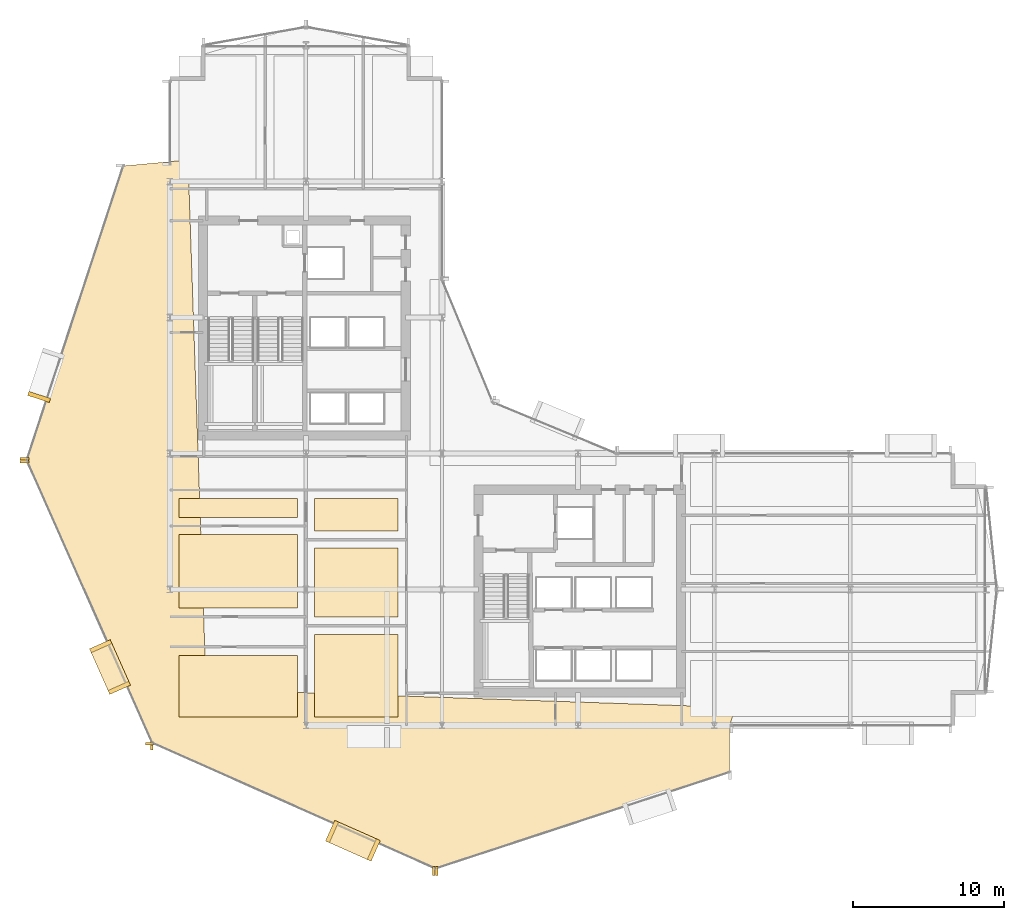
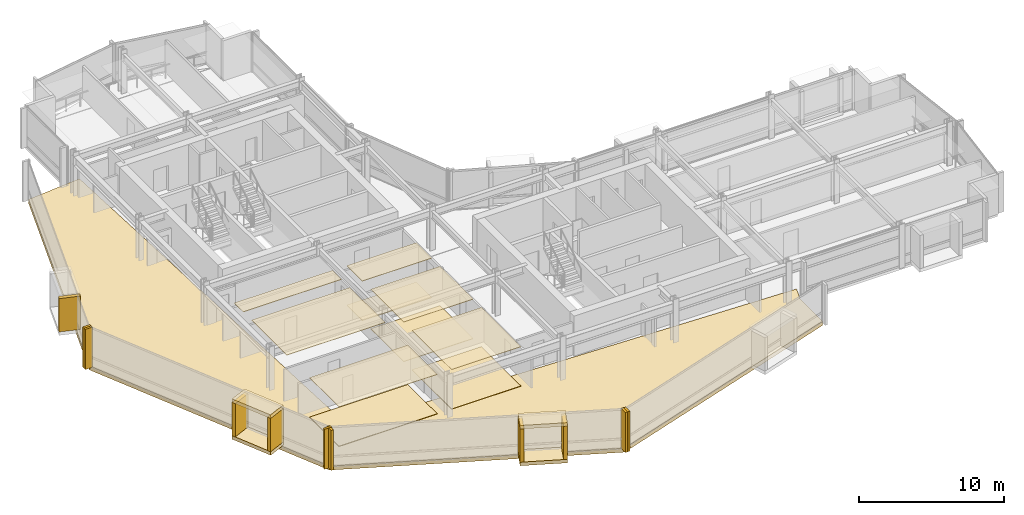
# One storey, part 31 of 35: 26 coverings.
"""IFC4 building model written with IfcOpenShell, lengths in metres."""

from ifc_helpers import new_model, si_unit, direction, frame, origin, origin_2d, place, context, subcontext, project, spatial, polyline, rectangle, outline, extrude, material, layer, layer_set, type_object, element, save


model = new_model("IFC4")

# Units and contexts
model_context = context("Model", 3, precision=1e-05, world=origin(), true_north=direction((0.0, 1.0)))
body_context = subcontext(model_context, "Body", "Model", "MODEL_VIEW")
ifc_project = project(units=[si_unit("LENGTHUNIT", "METRE"), si_unit("AREAUNIT", "SQUARE_METRE"), si_unit("VOLUMEUNIT", "CUBIC_METRE"), si_unit("PLANEANGLEUNIT", "RADIAN"), si_unit("MASSUNIT", "GRAM", prefix="KILO")], contexts=[model_context])

# Site, building, storey
site_placement = place(None, origin())
site = spatial("IfcSite", under=ifc_project, at=site_placement, CompositionType="ELEMENT")
building_placement = place(site_placement, origin())
building = spatial("IfcBuilding", under=site, at=building_placement, Name="Solvaryn Broadcast Tower", CompositionType="ELEMENT")
storey_placement = place(building_placement, frame((0.0, 0.0, 80.39990234375)))
storey = spatial("IfcBuildingStorey", under=building, at=storey_placement, Name="L19", CompositionType="ELEMENT", Elevation=80.39990234375)

# Coverings
ifc_material_1 = material(Name="Micro-Perforated Acoustic Gypsum Ceiling", Category="concrete")
ifc_layer_1 = layer(ifc_material_1, 0.0400390625)
ifc_layer_set_1 = layer_set([ifc_layer_1], Name="CV-CEIL-ACOUSTIC")
covering_type_1 = type_object("IfcCoveringType", Name="CV-CEIL-ACOUSTIC", PredefinedType="CEILING", material=ifc_layer_set_1)
covering_1_placement = place(storey_placement, frame((0.0, 0.0, 3.330078125)))
element("IfcCovering", 1, at=covering_1_placement, inside=storey, type_object=covering_type_1, Name="L19 Room Acoustic Ceiling 1", PredefinedType="CEILING", context=body_context, shape_type="SweptSolid", body=[
    extrude(outline(polyline([(18.570068359375, 9.570068359375), (24.10009765625, 9.570068359375), (24.10009765625, 15.030029296875), (18.570068359375, 15.030029296875), (18.570068359375, 9.570068359375)])), origin(), (0.0, 0.0, 1.0), 0.0400390625),
])
covering_2_placement = place(storey_placement, frame((0.0, 0.0, 3.330078125)))
element("IfcCovering", 2, at=covering_2_placement, inside=storey, type_object=covering_type_1, Name="L19 Room Acoustic Ceiling 2", PredefinedType="CEILING", context=body_context, shape_type="SweptSolid", body=[
    extrude(outline(polyline([(18.570068359375, 16.169921875), (24.10009765625, 16.169921875), (24.10009765625, 20.72998046875), (18.570068359375, 20.72998046875), (18.570068359375, 16.169921875)])), origin(), (0.0, 0.0, 1.0), 0.0400390625),
])
covering_3_placement = place(storey_placement, frame((0.0, 0.0, 3.330078125)))
element("IfcCovering", 3, at=covering_3_placement, inside=storey, type_object=covering_type_1, Name="L19 Room Acoustic Ceiling 3", PredefinedType="CEILING", context=body_context, shape_type="SweptSolid", body=[
    extrude(outline(polyline([(18.570068359375, 21.8701171875), (24.10009765625, 21.8701171875), (24.10009765625, 24.010009765625), (18.570068359375, 24.010009765625), (18.570068359375, 21.8701171875)])), origin(), (0.0, 0.0, 1.0), 0.0400390625),
])
covering_4_placement = place(storey_placement, frame((0.0, 0.0, 3.330078125)))
element("IfcCovering", 4, at=covering_4_placement, inside=storey, type_object=covering_type_1, Name="L19 Room Acoustic Ceiling 4", PredefinedType="CEILING", context=body_context, shape_type="SweptSolid", body=[
    extrude(outline(polyline([(9.60009765625, 9.570068359375), (17.429931640625, 9.570068359375), (17.429931640625, 13.6298828125), (9.60009765625, 13.6298828125), (9.60009765625, 9.570068359375)])), origin(), (0.0, 0.0, 1.0), 0.0400390625),
])
covering_5_placement = place(storey_placement, frame((0.0, 0.0, 3.330078125)))
element("IfcCovering", 5, at=covering_5_placement, inside=storey, type_object=covering_type_1, Name="L19 Room Acoustic Ceiling 5", PredefinedType="CEILING", context=body_context, shape_type="SweptSolid", body=[
    extrude(outline(polyline([(9.60009765625, 16.77001953125), (17.429931640625, 16.77001953125), (17.429931640625, 21.6298828125), (9.60009765625, 21.6298828125), (9.60009765625, 16.77001953125)])), origin(), (0.0, 0.0, 1.0), 0.0400390625),
])
covering_6_placement = place(storey_placement, frame((0.0, 0.0, 3.330078125)))
element("IfcCovering", 6, at=covering_6_placement, inside=storey, type_object=covering_type_1, Name="L19 Room Acoustic Ceiling 6", PredefinedType="CEILING", context=body_context, shape_type="SweptSolid", body=[
    extrude(outline(polyline([(9.60009765625, 22.77001953125), (17.429931640625, 22.77001953125), (17.429931640625, 24.010009765625), (9.60009765625, 24.010009765625), (9.60009765625, 22.77001953125)])), origin(), (0.0, 0.0, 1.0), 0.0400390625),
])
ifc_material_2 = material(Name="Newsroom Raised Data Access Flooring", Category="steel")
ifc_layer_2 = layer(ifc_material_2, 0.050048828125)
ifc_layer_set_2 = layer_set([ifc_layer_2], Name="CV-FLOOR-RAISED")
covering_type_2 = type_object("IfcCoveringType", Name="CV-FLOOR-RAISED", PredefinedType="FLOORING", material=ifc_layer_set_2)
covering_7_placement = place(storey_placement, origin())
element("IfcCovering", 7, at=covering_7_placement, inside=storey, type_object=covering_type_2, Name="L19 Room Acoustic Floor Finish 1", PredefinedType="FLOORING", context=body_context, shape_type="SweptSolid", body=[
    extrude(outline(polyline([(18.570068359375, 9.570068359375), (24.10009765625, 9.570068359375), (24.10009765625, 15.030029296875), (18.570068359375, 15.030029296875), (18.570068359375, 9.570068359375)])), origin(), (0.0, 0.0, 1.0), 0.050048828125),
])
covering_8_placement = place(storey_placement, origin())
element("IfcCovering", 8, at=covering_8_placement, inside=storey, type_object=covering_type_2, Name="L19 Room Acoustic Floor Finish 2", PredefinedType="FLOORING", context=body_context, shape_type="SweptSolid", body=[
    extrude(outline(polyline([(18.570068359375, 16.169921875), (24.10009765625, 16.169921875), (24.10009765625, 20.72998046875), (18.570068359375, 20.72998046875), (18.570068359375, 16.169921875)])), origin(), (0.0, 0.0, 1.0), 0.050048828125),
])
covering_9_placement = place(storey_placement, origin())
element("IfcCovering", 9, at=covering_9_placement, inside=storey, type_object=covering_type_2, Name="L19 Room Acoustic Floor Finish 3", PredefinedType="FLOORING", context=body_context, shape_type="SweptSolid", body=[
    extrude(outline(polyline([(18.570068359375, 21.8701171875), (24.10009765625, 21.8701171875), (24.10009765625, 24.010009765625), (18.570068359375, 24.010009765625), (18.570068359375, 21.8701171875)])), origin(), (0.0, 0.0, 1.0), 0.050048828125),
])
covering_10_placement = place(storey_placement, origin())
element("IfcCovering", 10, at=covering_10_placement, inside=storey, type_object=covering_type_2, Name="L19 Room Acoustic Floor Finish 4", PredefinedType="FLOORING", context=body_context, shape_type="SweptSolid", body=[
    extrude(outline(polyline([(9.60009765625, 9.570068359375), (17.429931640625, 9.570068359375), (17.429931640625, 13.6298828125), (9.60009765625, 13.6298828125), (9.60009765625, 9.570068359375)])), origin(), (0.0, 0.0, 1.0), 0.050048828125),
])
ifc_material_3 = material(Name="Glazed Architectural Terracotta Rainscreen Cladding", Category="masonry")
ifc_layer_3 = layer(ifc_material_3, 0.280029296875)
ifc_layer_set_3 = layer_set([ifc_layer_3], Name="CV-TC-CLAD")
covering_type_3 = type_object("IfcCoveringType", Name="CV-TC-CLAD", PredefinedType="CLADDING", material=ifc_layer_set_3)
covering_11_placement = place(storey_placement, frame((0.348388671875, 30.73828125, 0.280029296875), z_axis=(0.0, 0.0, 1.0), x_axis=(-0.311671636848, -0.950189870912, 0.0)))
element("IfcCovering", 11, at=covering_11_placement, inside=storey, type_object=covering_type_3, Name="L19 Projecting Stone Window Box Cheek 1-2", PredefinedType="CLADDING", context=body_context, shape_type="SweptSolid", body=[
    extrude(rectangle(XDim=0.280029296875, YDim=1.5, at=origin_2d()), origin(), (0.0, 0.0, 1.0), 2.81005859375),
])
for number, where, z_axis, x_axis, name in (
    (12, (5.035888671875, 12.8720703125, 3.080078125), (0.0, 0.0, 1.0), (0.405939269498, -0.913900054426, 0.0), "L19 Projecting Stone Window Box Hood 2"),
    (13, (5.035888671875, 12.8720703125, -0.009765625), (0.0, 0.0, 1.0), (0.405939269498, -0.913900054426, 0.0), "L19 Projecting Stone Window Box Sill 2"),
):
    element("IfcCovering", number, at=place(storey_placement, frame(where, z_axis=z_axis, x_axis=x_axis)), inside=storey, type_object=covering_type_3, Name=name, PredefinedType="CLADDING", context=body_context, shape_type="SweptSolid", body=[
        extrude(rectangle(XDim=3.300048828125, YDim=1.5, at=origin_2d()), origin(), (0.0, 0.0, 1.0), 0.300048828125),
    ])
for number, where, z_axis, x_axis, name in (
    (14, (4.423095703125, 14.251953125, 0.280029296875), (0.0, 0.0, 1.0), (0.405939269498, -0.913900054426, 0.0), "L19 Projecting Stone Window Box Cheek 2-1"),
    (15, (5.64892578125, 11.491943359375, 0.280029296875), (0.0, 0.0, 1.0), (0.405939269498, -0.913900054426, 0.0), "L19 Projecting Stone Window Box Cheek 2-2"),
):
    element("IfcCovering", number, at=place(storey_placement, frame(where, z_axis=z_axis, x_axis=x_axis)), inside=storey, type_object=covering_type_3, Name=name, PredefinedType="CLADDING", context=body_context, shape_type="SweptSolid", body=[
        extrude(rectangle(XDim=0.280029296875, YDim=1.5, at=origin_2d()), origin(), (0.0, 0.0, 1.0), 2.81005859375),
    ])
for number, where, z_axis, x_axis, name in (
    (16, (21.10498046875, 1.37890625, 3.080078125), (0.0, 0.0, 1.0), (0.913900054426, -0.405939269498, 0.0), "L19 Projecting Stone Window Box Hood 3"),
    (17, (21.10498046875, 1.37890625, -0.009765625), (0.0, 0.0, 1.0), (0.913900054426, -0.405939269498, 0.0), "L19 Projecting Stone Window Box Sill 3"),
):
    element("IfcCovering", number, at=place(storey_placement, frame(where, z_axis=z_axis, x_axis=x_axis)), inside=storey, type_object=covering_type_3, Name=name, PredefinedType="CLADDING", context=body_context, shape_type="SweptSolid", body=[
        extrude(rectangle(XDim=3.300048828125, YDim=1.5, at=origin_2d()), origin(), (0.0, 0.0, 1.0), 0.300048828125),
    ])
for number, where, z_axis, x_axis, name in (
    (18, (19.72509765625, 1.991943359375, 0.280029296875), (0.0, 0.0, 1.0), (0.913900054426, -0.405939269498, 0.0), "L19 Projecting Stone Window Box Cheek 3-1"),
    (19, (22.485107421875, 0.76611328125, 0.280029296875), (0.0, 0.0, 1.0), (0.913900054426, -0.405939269498, 0.0), "L19 Projecting Stone Window Box Cheek 3-2"),
):
    element("IfcCovering", number, at=place(storey_placement, frame(where, z_axis=z_axis, x_axis=x_axis)), inside=storey, type_object=covering_type_3, Name=name, PredefinedType="CLADDING", context=body_context, shape_type="SweptSolid", body=[
        extrude(rectangle(XDim=0.280029296875, YDim=1.5, at=origin_2d()), origin(), (0.0, 0.0, 1.0), 2.81005859375),
    ])
ifc_material_4 = material(Name="Extruded Architectural Terracotta Fin", Category="masonry")
ifc_layer_4 = layer(ifc_material_4, 0.179931640625)
ifc_layer_set_4 = layer_set([ifc_layer_4], Name="CV-TC-FIN")
covering_type_4 = type_object("IfcCoveringType", Name="CV-TC-FIN", PredefinedType="USERDEFINED", material=ifc_layer_set_4)
for number, where, z_axis, x_axis, name in (
    (20, (-0.625732421875, 26.644775390625, 0.0), (0.0, 0.0, 1.0), (1.0, 0.0, 0.0), "L19 Terracotta Vertical Fin FIN-L19-DR1-M01"),
    (21, (-0.6162109375, 26.459716796875, 0.0), (0.0, 0.0, 1.0), (1.0, 0.0, 0.0), "L19 Terracotta Vertical Fin FIN-L19-DR2-M00"),
    (22, (7.670654296875, 7.8017578125, 0.0), (0.0, 0.0, 1.0), (1.0, 0.0, 0.0), "L19 Terracotta Vertical Fin FIN-L19-DR2-M01"),
):
    element("IfcCovering", number, at=place(storey_placement, frame(where, z_axis=z_axis, x_axis=x_axis)), inside=storey, type_object=covering_type_4, Name=name, ObjectType="FIN", PredefinedType="USERDEFINED", context=body_context, shape_type="SweptSolid", body=[
        extrude(rectangle(XDim=0.580078125, YDim=0.179931640625, at=origin_2d()), origin(), (0.0, 0.0, 1.0), 3.3701171875),
    ])
for number, where, z_axis, x_axis, name in (
    (23, (7.8017578125, 7.670654296875, 0.0), (0.0, 0.0, 1.0), (1.0, 0.0, 0.0), "L19 Terracotta Vertical Fin FIN-L19-DR3-M00"),
    (24, (26.459716796875, -0.6162109375, 0.0), (0.0, 0.0, 1.0), (1.0, 0.0, 0.0), "L19 Terracotta Vertical Fin FIN-L19-DR3-M01"),
    (25, (26.644775390625, -0.625732421875, 0.0), (0.0, 0.0, 1.0), (1.0, 0.0, 0.0), "L19 Terracotta Vertical Fin FIN-L19-DR4-M00"),
):
    element("IfcCovering", number, at=place(storey_placement, frame(where, z_axis=z_axis, x_axis=x_axis)), inside=storey, type_object=covering_type_4, Name=name, ObjectType="FIN", PredefinedType="USERDEFINED", context=body_context, shape_type="SweptSolid", body=[
        extrude(rectangle(XDim=0.179931640625, YDim=0.580078125, at=origin_2d()), origin(), (0.0, 0.0, 1.0), 3.3701171875),
    ])
ifc_material_5 = material(Name="Sculpted Architectural Terracotta Wave Fascia", Category="masonry")
ifc_layer_5 = layer(ifc_material_5, 0.340087890625)
ifc_layer_set_5 = layer_set([ifc_layer_5], Name="CV-WAVE-TRAY")
covering_type_5 = type_object("IfcCoveringType", Name="CV-WAVE-TRAY", PredefinedType="CLADDING", material=ifc_layer_set_5)
covering_12_placement = place(storey_placement, frame((0.0, 0.0, -0.2998046875)))
element("IfcCovering", 26, at=covering_12_placement, inside=storey, type_object=covering_type_5, Name="L19 Stepped Cylindrical Drum Floor Apron", PredefinedType="CLADDING", context=body_context, shape_type="SweptSolid", body=[
    extrude(outline(polyline([(10.199951171875, 46.416015625), (5.916015625, 46.01611328125), (-0.464111328125, 26.56005859375), (7.846923828125, 7.846923828125), (26.56005859375, -0.464111328125), (46.01611328125, 5.916015625), (46.01611328125, 9.0), (46.416015625, 10.199951171875), (11.39990234375, 11.39990234375), (10.199951171875, 46.416015625)])), origin(), (0.0, 0.0, 1.0), 0.329833984375),
])

save(model, "model.ifc")
